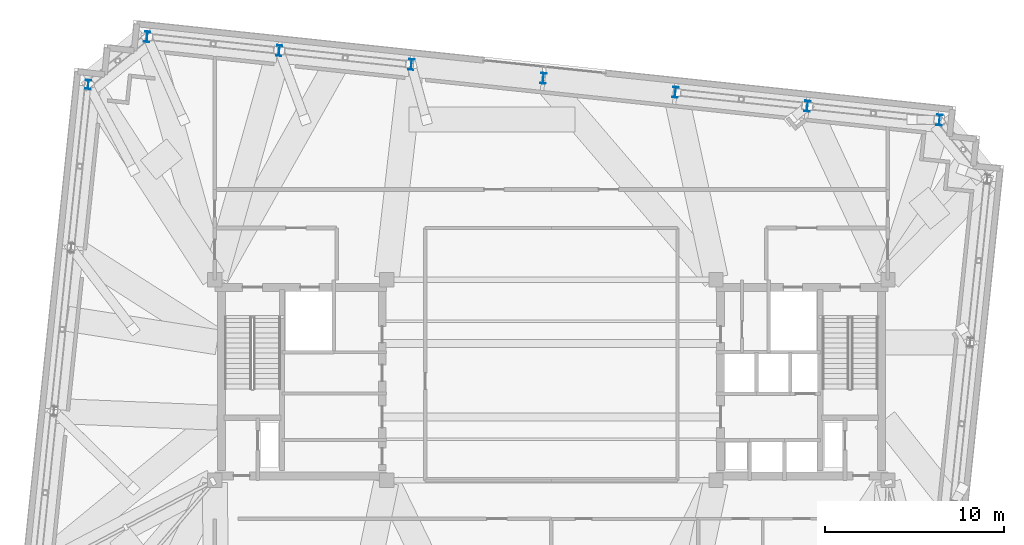
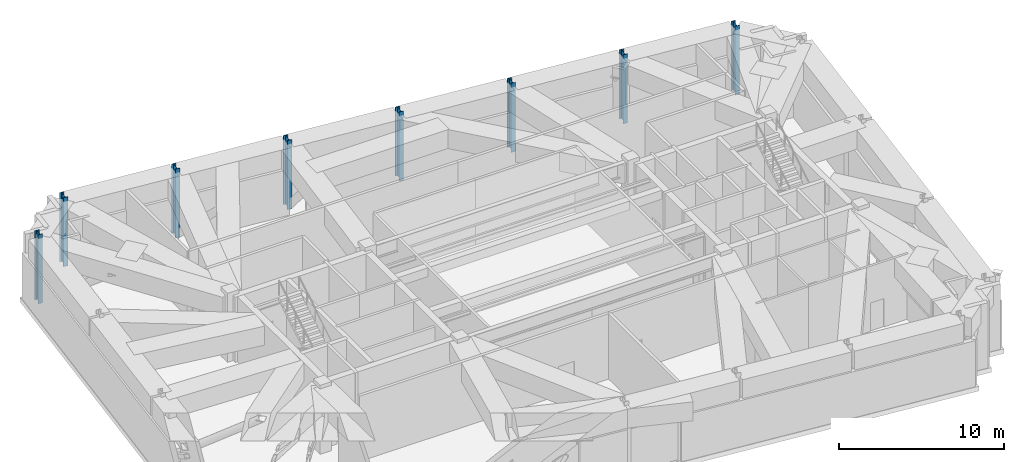
# One storey, part 3 of 21: 8 columns.
"""IFC4 building model written with IfcOpenShell, lengths in metres."""

from ifc_helpers import new_model, si_unit, direction, frame, origin, origin_2d, place, context, subcontext, project, spatial, i_section, extrude, material, material_profile, profile_set, type_object, element, save


model = new_model("IFC4")

# Units and contexts
model_context = context("Model", 3, precision=1e-05, world=origin(), true_north=direction((0.0, 1.0)))
body_context = subcontext(model_context, "Body", "Model", "MODEL_VIEW")
ifc_project = project(units=[si_unit("LENGTHUNIT", "METRE"), si_unit("AREAUNIT", "SQUARE_METRE"), si_unit("VOLUMEUNIT", "CUBIC_METRE"), si_unit("PLANEANGLEUNIT", "RADIAN"), si_unit("MASSUNIT", "GRAM", prefix="KILO")], contexts=[model_context])

# Site, building, storey
site_placement = place(None, origin())
site = spatial("IfcSite", under=ifc_project, at=site_placement, CompositionType="ELEMENT")
building_placement = place(site_placement, origin())
building = spatial("IfcBuilding", under=site, at=building_placement, Name="Qobustan Lattice House", CompositionType="ELEMENT")
storey_placement = place(building_placement, frame((0.0, 0.0, 223.199951171875)))
storey = spatial("IfcBuildingStorey", under=building, at=storey_placement, Name="L63", CompositionType="ELEMENT", Elevation=223.199951171875)

# Columns
ifc_material_1 = material(Name="Steel S355", Category="steel")
ifc_material_profile_1 = material_profile(ifc_material_1, i_section(OverallWidth=0.300048828125, OverallDepth=0.5, WebThickness=0.014404296875, FlangeThickness=0.028076171875, FilletRadius=0.027099609375, at=origin_2d()), Name="HEB500")
ifc_profile_set_1 = profile_set([ifc_material_profile_1], Name="Steel S355")
column_type_1 = type_object("IfcColumnType", Name="COL-ST-HEB500", PredefinedType="COLUMN", material=ifc_profile_set_1)
column_placement = place(storey_placement, frame((-25.87451171875, 16.513916015625, 0.0), z_axis=(0.0, 0.0, 1.0), x_axis=(0.994521895368, -0.104528463268, 0.0)))
element("IfcColumn", 1, at=column_placement, inside=storey, type_object=column_type_1, Name="L63 B4 perimeter column W1", PredefinedType="COLUMN", context=body_context, shape_type="SweptSolid", body=[
    extrude(i_section(OverallWidth=0.300048828125, OverallDepth=0.5, WebThickness=0.014404296875, FlangeThickness=0.028076171875, FilletRadius=0.027099609375, at=origin_2d()), origin(), (0.0, 0.0, 1.0), 5.10009765625),
])
ifc_material_2 = material(Name="Steel S355", Category="steel")
ifc_material_profile_2 = material_profile(ifc_material_2, i_section(OverallWidth=0.300048828125, OverallDepth=0.60009765625, WebThickness=0.015380859375, FlangeThickness=0.030029296875, FilletRadius=0.027099609375, at=origin_2d()), Name="HEB600")
ifc_profile_set_2 = profile_set([ifc_material_profile_2], Name="Steel S355")
column_type_2 = type_object("IfcColumnType", Name="COL-ST-HEB600", PredefinedType="COLUMN", material=ifc_profile_set_2)
for number, where, z_axis, x_axis, name in (
    (2, (21.678955078125, 14.532470703125, 0.0), (0.0, 0.0, 1.0), (0.994521895368, -0.104528463268, 0.0), "L63 B4 perimeter column N1"),
    (3, (14.302978515625, 15.3076171875, 0.0), (0.0, 0.0, 1.0), (0.994521895368, -0.104528463268, 0.0), "L63 B4 perimeter column N2"),
    (4, (6.927001953125, 16.0830078125, 0.0), (0.0, 0.0, 1.0), (0.994521895368, -0.104528463268, 0.0), "L63 B4 perimeter column N3"),
    (5, (-0.44921875, 16.858154296875, 0.0), (0.0, 0.0, 1.0), (0.994521895368, -0.104528463268, 0.0), "L63 B4 perimeter column N4"),
    (6, (-7.8251953125, 17.633544921875, 0.0), (0.0, 0.0, 1.0), (0.994521895368, -0.104528463268, 0.0), "L63 B4 perimeter column N5"),
    (7, (-15.201171875, 18.40869140625, 0.0), (0.0, 0.0, 1.0), (0.994521895368, -0.104528463268, 0.0), "L63 B4 perimeter column N6"),
    (8, (-22.577392578125, 19.18408203125, 0.0), (0.0, 0.0, 1.0), (0.994521895368, -0.104528463268, 0.0), "L63 B4 perimeter column N7"),
):
    element("IfcColumn", number, at=place(storey_placement, frame(where, z_axis=z_axis, x_axis=x_axis)), inside=storey, type_object=column_type_2, Name=name, PredefinedType="COLUMN", context=body_context, shape_type="SweptSolid", body=[
        extrude(i_section(OverallWidth=0.300048828125, OverallDepth=0.60009765625, WebThickness=0.015380859375, FlangeThickness=0.030029296875, FilletRadius=0.027099609375, at=origin_2d()), origin(), (0.0, 0.0, 1.0), 5.10009765625),
    ])

save(model, "model.ifc")
